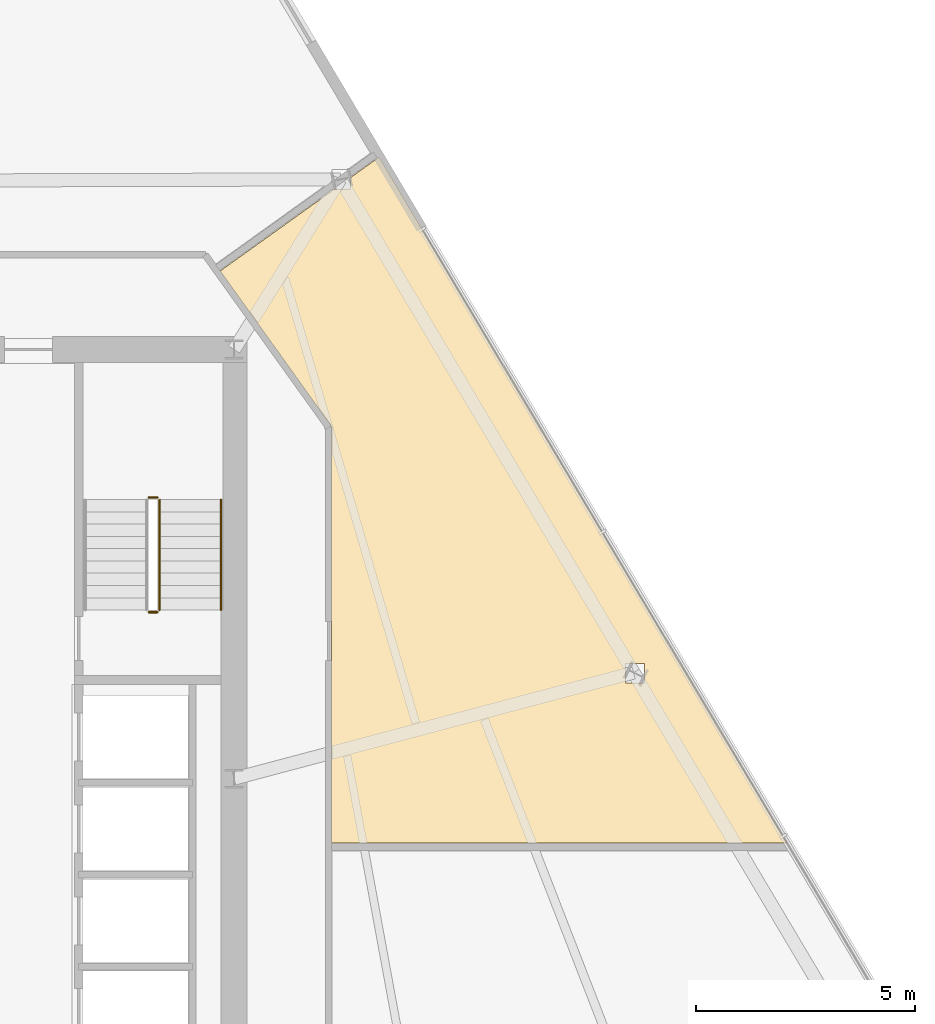
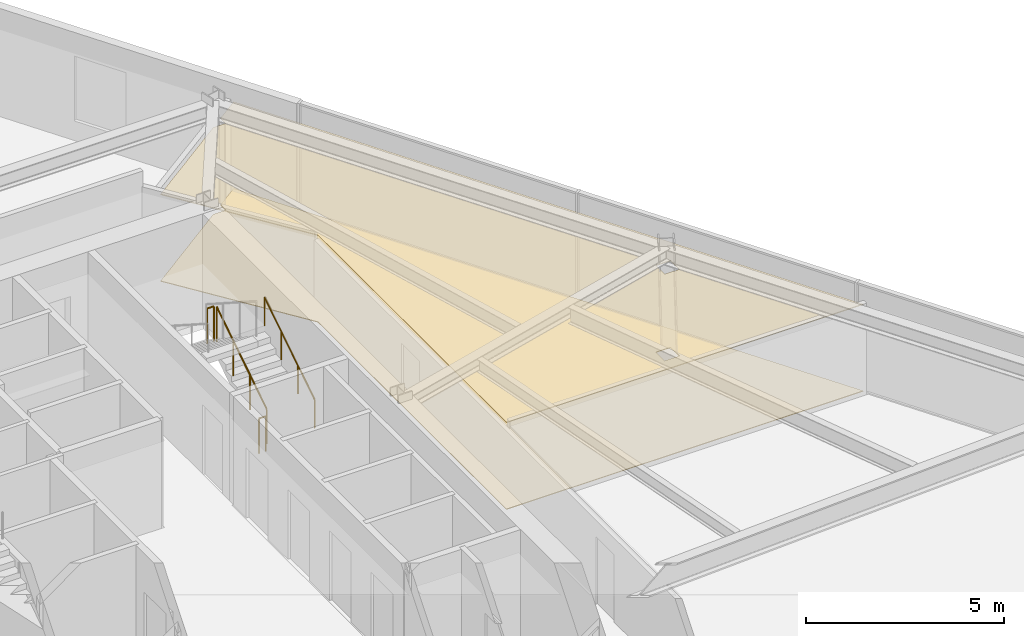
# One storey, part 13 of 15: 4 railings, 2 coverings.
"""IFC4 building model written with IfcOpenShell, lengths in metres."""

from ifc_helpers import new_model, si_unit, direction, frame, origin, origin_2d, place, context, subcontext, project, spatial, polyline, circle, outline, extrude, material, layer, layer_set, type_object, element, save


model = new_model("IFC4")

# Units and contexts
model_context = context("Model", 3, precision=1e-05, world=origin(), true_north=direction((0.0, 1.0)))
body_context = subcontext(model_context, "Body", "Model", "MODEL_VIEW")
ifc_project = project(units=[si_unit("LENGTHUNIT", "METRE"), si_unit("AREAUNIT", "SQUARE_METRE"), si_unit("VOLUMEUNIT", "CUBIC_METRE"), si_unit("PLANEANGLEUNIT", "RADIAN"), si_unit("MASSUNIT", "GRAM", prefix="KILO")], contexts=[model_context])

# Site, building, storey
site_placement = place(None, origin())
site = spatial("IfcSite", under=ifc_project, at=site_placement, CompositionType="ELEMENT")
building_placement = place(site_placement, origin())
building = spatial("IfcBuilding", under=site, at=building_placement, Name="Savorim Split Tower", CompositionType="ELEMENT")
storey_placement = place(building_placement, frame((0.0, 0.0, 89.699951171875)))
storey = spatial("IfcBuildingStorey", under=building, at=storey_placement, Name="L23", CompositionType="ELEMENT", Elevation=89.699951171875)

# Coverings
ifc_material_1 = material(Name="Mineral Fibre Acoustic Ceiling")
ifc_layer_1 = layer(ifc_material_1, 0.02490234375)
ifc_layer_set_1 = layer_set([ifc_layer_1], Name="COV-CEIL-25")
covering_type_1 = type_object("IfcCoveringType", Name="COV-CEIL-25", PredefinedType="CEILING", material=ifc_layer_set_1)
covering_1_placement = place(storey_placement, frame((0.0, 0.0, 2.670166015625)))
element("IfcCovering", 1, at=covering_1_placement, inside=storey, type_object=covering_type_1, Name="L23 Co-Working Commons Acoustic Ceiling", PredefinedType="CEILING", context=body_context, shape_type="SweptSolid", body=[
    extrude(outline(polyline([(9.9169921875, 8.4287109375), (9.919189453125, 8.41455078125), (9.919921875, 8.39990234375), (9.919921875, -1.068115234375), (20.32568359375, -1.068115234375), (11.0126953125, 14.59423828125), (10.3603515625, 14.126953125), (10.3603515625, 13.86767578125), (9.998291015625, 13.86767578125), (7.379150390625, 11.9912109375), (9.893798828125, 8.4814453125), (9.901611328125, 8.46923828125), (9.908203125, 8.456298828125), (9.913330078125, 8.44287109375), (9.9169921875, 8.4287109375)]), holes=[polyline([(17.07177734375, 2.5810546875), (17.07177734375, 3.026123046875), (16.642578125, 3.026123046875), (16.642578125, 2.5810546875), (17.07177734375, 2.5810546875)])]), origin(), (0.0, 0.0, 1.0), 0.02490234375),
])
ifc_material_2 = material(Name="Porcelain Stoneware Flooring", Category="masonry")
ifc_layer_2 = layer(ifc_material_2, 0.02001953125)
ifc_layer_set_2 = layer_set([ifc_layer_2], Name="COV-FLOR-20")
covering_type_2 = type_object("IfcCoveringType", Name="COV-FLOR-20", PredefinedType="FLOORING", material=ifc_layer_set_2)
covering_2_placement = place(storey_placement, origin())
element("IfcCovering", 2, at=covering_2_placement, inside=storey, type_object=covering_type_2, Name="L23 Co-Working Commons Porcelain Flooring", PredefinedType="FLOORING", context=body_context, shape_type="SweptSolid", body=[
    extrude(outline(polyline([(9.9169921875, 8.4287109375), (9.919189453125, 8.41455078125), (9.919921875, 8.39990234375), (9.919921875, -1.068115234375), (20.32568359375, -1.068115234375), (11.0126953125, 14.59423828125), (10.3603515625, 14.126953125), (10.3603515625, 13.86767578125), (9.998291015625, 13.86767578125), (7.379150390625, 11.9912109375), (9.893798828125, 8.4814453125), (9.901611328125, 8.46923828125), (9.908203125, 8.456298828125), (9.913330078125, 8.44287109375), (9.9169921875, 8.4287109375)]), holes=[polyline([(17.07177734375, 2.5810546875), (17.07177734375, 3.026123046875), (16.642578125, 3.026123046875), (16.642578125, 2.5810546875), (17.07177734375, 2.5810546875)])]), origin(), (0.0, 0.0, 1.0), 0.02001953125),
])

# Railings
ifc_material_3 = material(Name="Galvanised Painted Steel Balustrade", Category="steel")
railing_type_1 = type_object("IfcRailingType", Name="RLG-HR-900", PredefinedType="HANDRAIL", material=ifc_material_3)
railing_1_placement = place(storey_placement, frame((7.39990234375, 4.25, 0.179931640625)))
element("IfcRailing", 3, at=railing_1_placement, inside=storey, type_object=railing_type_1, Name="L23 ST-2 stair handrail 1", PredefinedType="HANDRAIL", context=body_context, shape_type="SweptSolid", body=[
    extrude(circle(Radius=0.02392578125, at=origin_2d()), frame((0.0, 0.0, 0.8759765625), z_axis=(0.0, 0.841162588446, 0.540782303519), x_axis=(-1.0, 0.0, 0.0)), (0.0, 0.0, 1.0), 2.995849609375),
    extrude(circle(Radius=0.02099609375, at=origin_2d()), origin(), (0.0, 0.0, 1.0), 0.851806640625),
    extrude(circle(Radius=0.02099609375, at=origin_2d()), frame((0.0, 0.840087890625, 0.5400390625)), (0.0, 0.0, 1.0), 0.851806640625),
    extrude(circle(Radius=0.02099609375, at=origin_2d()), frame((0.0, 1.679931640625, 1.080078125)), (0.0, 0.0, 1.0), 0.851806640625),
    extrude(circle(Radius=0.02099609375, at=origin_2d()), frame((0.0, 2.52001953125, 1.6201171875)), (0.0, 0.0, 1.0), 0.851806640625),
])
railing_type_2 = type_object("IfcRailingType", Name="RLG-STG-1100", PredefinedType="BALUSTRADE", material=ifc_material_3)
railing_2_placement = place(storey_placement, frame((6.0, 4.25, 0.179931640625)))
element("IfcRailing", 4, at=railing_2_placement, inside=storey, type_object=railing_type_2, Name="L23 ST-2 stair guard 1", PredefinedType="BALUSTRADE", context=body_context, shape_type="SweptSolid", body=[
    extrude(circle(Radius=0.02392578125, at=origin_2d()), frame((0.0, 0.0, 1.076171875), z_axis=(0.0, 0.841162588446, 0.540782303519), x_axis=(-1.0, 0.0, 0.0)), (0.0, 0.0, 1.0), 2.995849609375),
    extrude(circle(Radius=0.02099609375, at=origin_2d()), origin(), (0.0, 0.0, 1.0), 1.052001953125),
    extrude(circle(Radius=0.02099609375, at=origin_2d()), frame((0.0, 0.840087890625, 0.5400390625)), (0.0, 0.0, 1.0), 1.052001953125),
    extrude(circle(Radius=0.02099609375, at=origin_2d()), frame((0.0, 1.679931640625, 1.080078125)), (0.0, 0.0, 1.0), 1.052001953125),
    extrude(circle(Radius=0.02099609375, at=origin_2d()), frame((0.0, 2.52001953125, 1.6201171875)), (0.0, 0.0, 1.0), 1.052001953125),
])
for number, where, name in (
    (5, (5.949951171875, 6.820068359375, 1.800048828125), "L23 ST-2 stair guard 2"),
    (6, (5.949951171875, 4.199951171875, 0.0), "L23 ST-2 stair guard 4"),
):
    element("IfcRailing", number, at=place(storey_placement, frame(where)), inside=storey, type_object=railing_type_2, Name=name, PredefinedType="BALUSTRADE", context=body_context, shape_type="SweptSolid", body=[
        extrude(circle(Radius=0.02392578125, at=origin_2d()), frame((0.0, 0.0, 1.076171875), z_axis=(-1.0, 0.0, 0.0), x_axis=(0.0, -1.0, 0.0)), (0.0, 0.0, 1.0), 0.199951171875),
        extrude(circle(Radius=0.02099609375, at=origin_2d()), origin(), (0.0, 0.0, 1.0), 1.052001953125),
        extrude(circle(Radius=0.02099609375, at=origin_2d()), frame((-0.199951171875, 0.0, 0.0)), (0.0, 0.0, 1.0), 1.052001953125),
    ])

save(model, "model.ifc")
